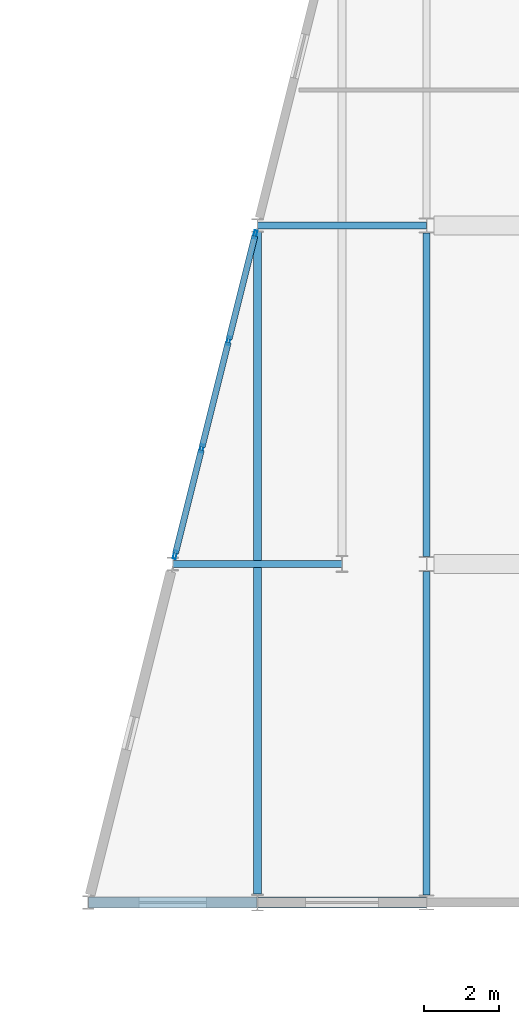
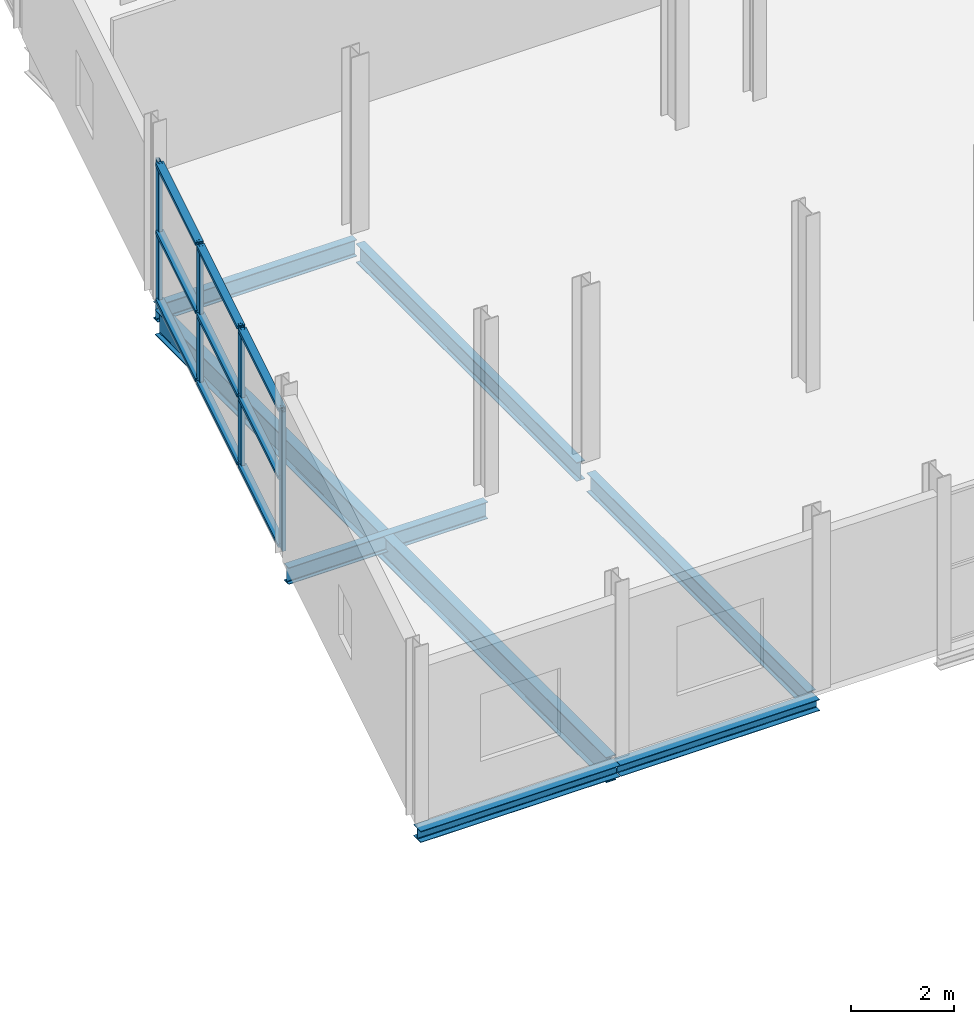
# One storey, part 54 of 135: 13 members, 7 beams, 1 element without a shape of its own.
"""IFC4 building model written with IfcOpenShell, lengths in metres."""

from ifc_helpers import new_model, si_unit, direction, frame, origin, origin_2d, place, context, subcontext, project, spatial, hollow_rectangle, i_section, extrude, material, layer, layer_set, material_profile, profile_set, type_object, element, aggregate, save


model = new_model("IFC4")

# Units and contexts
model_context = context("Model", 3, precision=1e-05, world=origin(), true_north=direction((0.0, 1.0)))
body_context = subcontext(model_context, "Body", "Model", "MODEL_VIEW")
ifc_project = project(units=[si_unit("LENGTHUNIT", "METRE"), si_unit("AREAUNIT", "SQUARE_METRE"), si_unit("VOLUMEUNIT", "CUBIC_METRE"), si_unit("PLANEANGLEUNIT", "RADIAN"), si_unit("MASSUNIT", "GRAM", prefix="KILO")], contexts=[model_context])

# Site, building, storey
site_placement = place(None, origin())
site = spatial("IfcSite", under=ifc_project, at=site_placement, CompositionType="ELEMENT")
building_placement = place(site_placement, origin())
building = spatial("IfcBuilding", under=site, at=building_placement, Name="Deido Ridge Mobility Hub", CompositionType="ELEMENT")
storey_placement = place(building_placement, frame((0.0, 0.0, 4.199951171875)))
storey = spatial("IfcBuildingStorey", under=building, at=storey_placement, Name="L01", CompositionType="ELEMENT", Elevation=4.199951171875)

# Beams
ifc_material_1 = material(Name="Steel S355J2 EN 10025-2", Category="steel")
ifc_material_profile_1 = material_profile(ifc_material_1, i_section(OverallWidth=0.179931640625, OverallDepth=0.39990234375, WebThickness=0.008544921875, FlangeThickness=0.013427734375, FilletRadius=0.02099609375, at=origin_2d()), Name="IPE 400")
ifc_profile_set_1 = profile_set([ifc_material_profile_1], Name="Steel S355J2 EN 10025-2")
beam_type_1 = type_object("IfcBeamType", Name="BM-IPE400", PredefinedType="BEAM", material=ifc_profile_set_1)
beam_1_placement = place(storey_placement, frame((121.506103515625, 18.0, -0.449951171875), z_axis=(1.0, 0.0, 0.0), x_axis=(0.0, 1.0, 0.0)))
element("IfcBeam", 1, at=beam_1_placement, inside=storey, type_object=beam_type_1, Name="Floor beam B5", PredefinedType="BEAM", context=body_context, shape_type="SweptSolid", body=[
    extrude(i_section(OverallWidth=0.179931640625, OverallDepth=0.39990234375, WebThickness=0.008544921875, FlangeThickness=0.013427734375, FilletRadius=0.02099609375, at=origin_2d()), origin(), (0.0, 0.0, 1.0), 4.485107421875),
])
beam_2_placement = place(storey_placement, frame((119.256103515625, 9.0, -0.449951171875), z_axis=(1.0, 0.0, 0.0), x_axis=(0.0, 1.0, 0.0)))
element("IfcBeam", 2, at=beam_2_placement, inside=storey, type_object=beam_type_1, Name="Floor beam B5", PredefinedType="BEAM", context=body_context, shape_type="SweptSolid", body=[
    extrude(i_section(OverallWidth=0.179931640625, OverallDepth=0.39990234375, WebThickness=0.008544921875, FlangeThickness=0.013427734375, FilletRadius=0.02099609375, at=origin_2d()), origin(), (0.0, 0.0, 1.0), 4.48681640625),
])
ifc_material_profile_2 = material_profile(ifc_material_1, i_section(OverallWidth=0.18994140625, OverallDepth=0.449951171875, WebThickness=0.009521484375, FlangeThickness=0.0146484375, FilletRadius=0.02099609375, at=origin_2d()), Name="IPE 450")
ifc_profile_set_2 = profile_set([ifc_material_profile_2], Name="Steel S355J2 EN 10025-2")
beam_type_2 = type_object("IfcBeamType", Name="BM-IPE450", PredefinedType="BEAM", material=ifc_profile_set_2)
for number, where, z_axis, x_axis, name in (
    (3, (126.0, 0.196533203125, -0.474853515625), (0.0, 1.0, 0.0), (-1.0, 0.0, 0.0), "Floor beam B4"),
    (4, (126.0, 9.196533203125, -0.474853515625), (0.0, 1.0, 0.0), (-1.0, 0.0, 0.0), "Floor beam B4"),
):
    element("IfcBeam", number, at=place(storey_placement, frame(where, z_axis=z_axis, x_axis=x_axis)), inside=storey, type_object=beam_type_2, Name=name, PredefinedType="BEAM", context=body_context, shape_type="SweptSolid", body=[
        extrude(i_section(OverallWidth=0.18994140625, OverallDepth=0.449951171875, WebThickness=0.009521484375, FlangeThickness=0.0146484375, FilletRadius=0.02099609375, at=origin_2d()), origin(), (0.0, 0.0, 1.0), 8.60693359375),
    ])
ifc_material_profile_3 = material_profile(ifc_material_1, i_section(OverallWidth=0.219970703125, OverallDepth=0.60009765625, WebThickness=0.011962890625, FlangeThickness=0.01904296875, FilletRadius=0.02392578125, at=origin_2d()), Name="IPE 600")
ifc_profile_set_3 = profile_set([ifc_material_profile_3], Name="Steel S355J2 EN 10025-2")
beam_type_3 = type_object("IfcBeamType", Name="BM-IPE600", PredefinedType="BEAM", material=ifc_profile_set_3)
beam_3_placement = place(storey_placement, frame((121.5, 0.22509765625, -0.550048828125), z_axis=(0.0, 1.0, 0.0), x_axis=(-1.0, 0.0, 0.0)))
element("IfcBeam", 5, at=beam_3_placement, inside=storey, type_object=beam_type_3, Name="Floor beam B1", PredefinedType="BEAM", context=body_context, shape_type="SweptSolid", body=[
    extrude(i_section(OverallWidth=0.219970703125, OverallDepth=0.60009765625, WebThickness=0.011962890625, FlangeThickness=0.01904296875, FilletRadius=0.02392578125, at=origin_2d()), origin(), (0.0, 0.0, 1.0), 17.594970703125),
])

# Curtain wall, members
ifc_material_2 = material(Name="Anodised aluminium EN AW-6063 T6", Category="aluminium")
ifc_layer = layer(ifc_material_2, 0.27001953125, Name="Anodised aluminium EN AW-6063 T6")
ifc_layer_set = layer_set([ifc_layer], Name="Anodised aluminium EN AW-6063 T6")
curtain_wall_type = type_object("IfcCurtainWallType", Name="CW-UF-8", PredefinedType="USERDEFINED", material=ifc_layer_set)
curtain_wall_placement = place(storey_placement, origin())
curtain_wall = element("IfcCurtainWall", 6, at=curtain_wall_placement, inside=storey, type_object=curtain_wall_type, Name="Unitised curtain wall CW8", ObjectType="UNITISED FACADE", PredefinedType="USERDEFINED")
ifc_material_profile_4 = material_profile(ifc_material_2, hollow_rectangle(XDim=0.080078125, YDim=0.219970703125, WallThickness=0.00390625, at=origin_2d()), Name="RHS 80x220x4")
ifc_profile_set_4 = profile_set([ifc_material_profile_4], Name="Anodised aluminium EN AW-6063 T6")
member_type_1 = type_object("IfcMemberType", Name="MEM-MUL-80X220", PredefinedType="MULLION", material=ifc_profile_set_4)
member_1_placement = place(storey_placement, frame((119.310791015625, 9.243408203125, 0.0), z_axis=(0.0, 0.0, 1.0), x_axis=(-0.970143828731, 0.242530310632, 0.0)))
member_1 = element("IfcMember", 7, at=member_1_placement, type_object=member_type_1, Name="CW8 mullion 1", PredefinedType="MULLION", context=body_context, shape_type="SweptSolid", body=[
    extrude(hollow_rectangle(XDim=0.080078125, YDim=0.219970703125, WallThickness=0.00390625, at=origin_2d()), origin(), (0.0, 0.0, 1.0), 3.320068359375),
])
member_2_placement = place(storey_placement, frame((120.01708984375, 12.068115234375, 0.0), z_axis=(0.0, 0.0, 1.0), x_axis=(-0.970143828731, 0.242530310632, 0.0)))
member_2 = element("IfcMember", 8, at=member_2_placement, type_object=member_type_1, Name="CW8 mullion 2", PredefinedType="MULLION", context=body_context, shape_type="SweptSolid", body=[
    extrude(hollow_rectangle(XDim=0.080078125, YDim=0.219970703125, WallThickness=0.00390625, at=origin_2d()), origin(), (0.0, 0.0, 1.0), 3.320068359375),
])
member_3_placement = place(storey_placement, frame((120.73291015625, 14.931884765625, 0.0), z_axis=(0.0, 0.0, 1.0), x_axis=(-0.970143828731, 0.242530310632, 0.0)))
member_3 = element("IfcMember", 9, at=member_3_placement, type_object=member_type_1, Name="CW8 mullion 3", PredefinedType="MULLION", context=body_context, shape_type="SweptSolid", body=[
    extrude(hollow_rectangle(XDim=0.080078125, YDim=0.219970703125, WallThickness=0.00390625, at=origin_2d()), origin(), (0.0, 0.0, 1.0), 3.320068359375),
])
member_4_placement = place(storey_placement, frame((121.439208984375, 17.756591796875, 0.0), z_axis=(0.0, 0.0, 1.0), x_axis=(-0.970143828731, 0.242530310632, 0.0)))
member_4 = element("IfcMember", 10, at=member_4_placement, type_object=member_type_1, Name="CW8 mullion 4", PredefinedType="MULLION", context=body_context, shape_type="SweptSolid", body=[
    extrude(hollow_rectangle(XDim=0.080078125, YDim=0.219970703125, WallThickness=0.00390625, at=origin_2d()), origin(), (0.0, 0.0, 1.0), 3.320068359375),
])
ifc_material_profile_5 = material_profile(ifc_material_2, hollow_rectangle(XDim=0.1650390625, YDim=0.080078125, WallThickness=0.00390625, at=origin_2d()), Name="RHS 165x80x4")
ifc_profile_set_5 = profile_set([ifc_material_profile_5], Name="Anodised aluminium EN AW-6063 T6")
member_type_2 = type_object("IfcMemberType", Name="MEM-TRN-165X80", PredefinedType="USERDEFINED", material=ifc_profile_set_5)
member_5_placement = place(storey_placement, frame((119.320556640625, 9.2822265625, 0.0400390625), z_axis=(0.242515339725, 0.970147571248, 0.0), x_axis=(-0.970147571248, 0.242515339725, 0.0)))
member_5 = element("IfcMember", 11, at=member_5_placement, type_object=member_type_2, Name="CW8 transom 1.1", ObjectType="TRANSOM", PredefinedType="USERDEFINED", context=body_context, shape_type="SweptSolid", body=[
    extrude(hollow_rectangle(XDim=0.1650390625, YDim=0.080078125, WallThickness=0.00390625, at=origin_2d()), origin(), (0.0, 0.0, 1.0), 2.831787109375),
])
member_6_placement = place(storey_placement, frame((119.320556640625, 9.2822265625, 1.66015625), z_axis=(0.242515339725, 0.970147571248, 0.0), x_axis=(-0.970147571248, 0.242515339725, 0.0)))
member_6 = element("IfcMember", 12, at=member_6_placement, type_object=member_type_2, Name="CW8 transom 1.2", ObjectType="TRANSOM", PredefinedType="USERDEFINED", context=body_context, shape_type="SweptSolid", body=[
    extrude(hollow_rectangle(XDim=0.1650390625, YDim=0.080078125, WallThickness=0.00390625, at=origin_2d()), origin(), (0.0, 0.0, 1.0), 2.831787109375),
])
member_7_placement = place(storey_placement, frame((119.320556640625, 9.2822265625, 3.280029296875), z_axis=(0.242515339725, 0.970147571248, 0.0), x_axis=(-0.970147571248, 0.242515339725, 0.0)))
member_7 = element("IfcMember", 13, at=member_7_placement, type_object=member_type_2, Name="CW8 transom 1.3", ObjectType="TRANSOM", PredefinedType="USERDEFINED", context=body_context, shape_type="SweptSolid", body=[
    extrude(hollow_rectangle(XDim=0.1650390625, YDim=0.080078125, WallThickness=0.00390625, at=origin_2d()), origin(), (0.0, 0.0, 1.0), 2.831787109375),
])
member_8_placement = place(storey_placement, frame((120.02685546875, 12.10693359375, 0.0400390625), z_axis=(0.242455612459, 0.970162499784, 0.0), x_axis=(-0.970162499784, 0.242455612459, 0.0)))
member_8 = element("IfcMember", 14, at=member_8_placement, type_object=member_type_2, Name="CW8 transom 2.1", ObjectType="TRANSOM", PredefinedType="USERDEFINED", context=body_context, shape_type="SweptSolid", body=[
    extrude(hollow_rectangle(XDim=0.1650390625, YDim=0.080078125, WallThickness=0.00390625, at=origin_2d()), origin(), (0.0, 0.0, 1.0), 2.871826171875),
])
member_9_placement = place(storey_placement, frame((120.02685546875, 12.10693359375, 1.66015625), z_axis=(0.242455612459, 0.970162499784, 0.0), x_axis=(-0.970162499784, 0.242455612459, 0.0)))
member_9 = element("IfcMember", 15, at=member_9_placement, type_object=member_type_2, Name="CW8 transom 2.2", ObjectType="TRANSOM", PredefinedType="USERDEFINED", context=body_context, shape_type="SweptSolid", body=[
    extrude(hollow_rectangle(XDim=0.1650390625, YDim=0.080078125, WallThickness=0.00390625, at=origin_2d()), origin(), (0.0, 0.0, 1.0), 2.871826171875),
])
member_10_placement = place(storey_placement, frame((120.02685546875, 12.10693359375, 3.280029296875), z_axis=(0.242455612459, 0.970162499784, 0.0), x_axis=(-0.970162499784, 0.242455612459, 0.0)))
member_10 = element("IfcMember", 16, at=member_10_placement, type_object=member_type_2, Name="CW8 transom 2.3", ObjectType="TRANSOM", PredefinedType="USERDEFINED", context=body_context, shape_type="SweptSolid", body=[
    extrude(hollow_rectangle(XDim=0.1650390625, YDim=0.080078125, WallThickness=0.00390625, at=origin_2d()), origin(), (0.0, 0.0, 1.0), 2.871826171875),
])
member_11_placement = place(storey_placement, frame((120.74267578125, 14.970458984375, 0.0400390625), z_axis=(0.242515339725, 0.970147571248, 0.0), x_axis=(-0.970147571248, 0.242515339725, 0.0)))
member_11 = element("IfcMember", 17, at=member_11_placement, type_object=member_type_2, Name="CW8 transom 3.1", ObjectType="TRANSOM", PredefinedType="USERDEFINED", context=body_context, shape_type="SweptSolid", body=[
    extrude(hollow_rectangle(XDim=0.1650390625, YDim=0.080078125, WallThickness=0.00390625, at=origin_2d()), origin(), (0.0, 0.0, 1.0), 2.831787109375),
])
member_12_placement = place(storey_placement, frame((120.74267578125, 14.970458984375, 1.66015625), z_axis=(0.242515339725, 0.970147571248, 0.0), x_axis=(-0.970147571248, 0.242515339725, 0.0)))
member_12 = element("IfcMember", 18, at=member_12_placement, type_object=member_type_2, Name="CW8 transom 3.2", ObjectType="TRANSOM", PredefinedType="USERDEFINED", context=body_context, shape_type="SweptSolid", body=[
    extrude(hollow_rectangle(XDim=0.1650390625, YDim=0.080078125, WallThickness=0.00390625, at=origin_2d()), origin(), (0.0, 0.0, 1.0), 2.831787109375),
])
member_13_placement = place(storey_placement, frame((120.74267578125, 14.970458984375, 3.280029296875), z_axis=(0.242515339725, 0.970147571248, 0.0), x_axis=(-0.970147571248, 0.242515339725, 0.0)))
member_13 = element("IfcMember", 19, at=member_13_placement, type_object=member_type_2, Name="CW8 transom 3.3", ObjectType="TRANSOM", PredefinedType="USERDEFINED", context=body_context, shape_type="SweptSolid", body=[
    extrude(hollow_rectangle(XDim=0.1650390625, YDim=0.080078125, WallThickness=0.00390625, at=origin_2d()), origin(), (0.0, 0.0, 1.0), 2.831787109375),
])
aggregate(curtain_wall, [member_1, member_2, member_3, member_4, member_5, member_6, member_7, member_8, member_9, member_10, member_11, member_12, member_13])

# Beams
ifc_material_profile_6 = material_profile(ifc_material_1, i_section(OverallWidth=0.280029296875, OverallDepth=0.27001953125, WebThickness=0.008056640625, FlangeThickness=0.012939453125, FilletRadius=0.02392578125, at=origin_2d()), Name="HEA 280")
ifc_profile_set_6 = profile_set([ifc_material_profile_6], Name="Steel S355J2 EN 10025-2")
beam_type_4 = type_object("IfcBeamType", Name="SPD-HEA280", PredefinedType="SPANDREL", material=ifc_profile_set_6)
beam_4_placement = place(storey_placement, frame((117.006103515625, 0.0, -0.385009765625), z_axis=(1.0, 0.0, 0.0), x_axis=(0.0, 1.0, 0.0)))
element("IfcBeam", 20, at=beam_4_placement, inside=storey, type_object=beam_type_4, Name="Floor beam SP2", PredefinedType="SPANDREL", context=body_context, shape_type="SweptSolid", body=[
    extrude(i_section(OverallWidth=0.280029296875, OverallDepth=0.27001953125, WebThickness=0.008056640625, FlangeThickness=0.012939453125, FilletRadius=0.02392578125, at=origin_2d()), origin(), (0.0, 0.0, 1.0), 4.48681640625),
])
beam_5_placement = place(storey_placement, frame((121.507080078125, 0.0, -0.385009765625), z_axis=(1.0, 0.0, 0.0), x_axis=(0.0, 1.0, 0.0)))
element("IfcBeam", 21, at=beam_5_placement, inside=storey, type_object=beam_type_4, Name="Floor beam SP2", PredefinedType="SPANDREL", context=body_context, shape_type="SweptSolid", body=[
    extrude(i_section(OverallWidth=0.280029296875, OverallDepth=0.27001953125, WebThickness=0.008056640625, FlangeThickness=0.012939453125, FilletRadius=0.02392578125, at=origin_2d()), origin(), (0.0, 0.0, 1.0), 4.484130859375),
])

save(model, "model.ifc")
